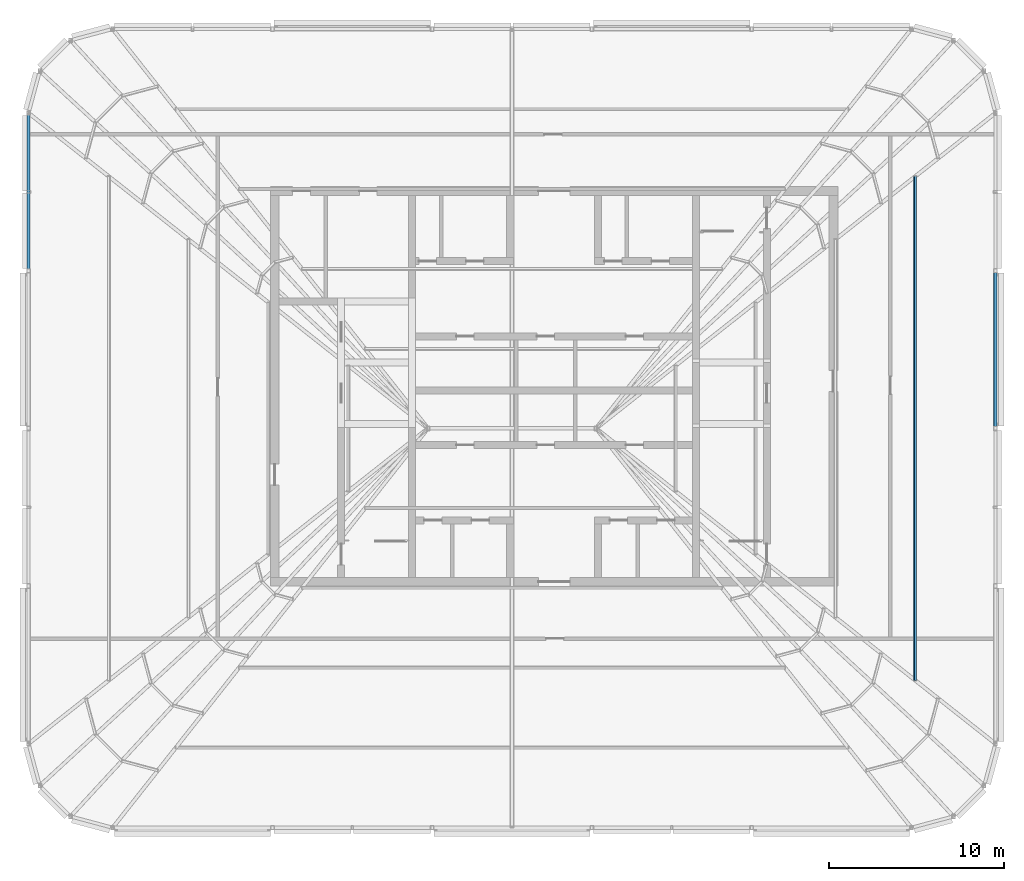
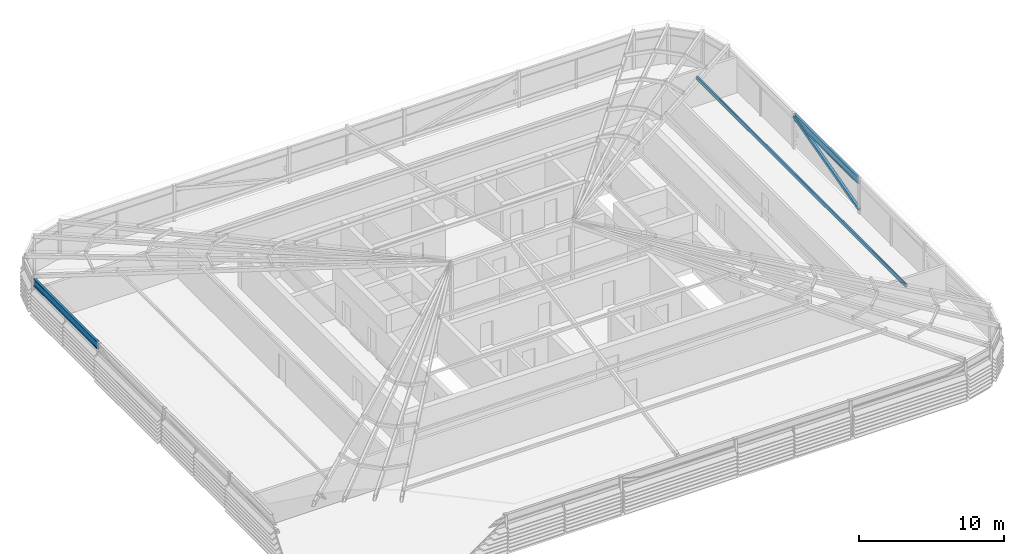
# One storey, part 13 of 46: 2 beams, 2 members.
"""IFC4 building model written with IfcOpenShell, lengths in metres."""

from ifc_helpers import new_model, si_unit, direction, frame, origin, origin_2d, place, context, subcontext, project, spatial, hollow_rectangle, i_section, extrude, material, material_profile, profile_set, type_object, element, save


model = new_model("IFC4")

# Units and contexts
model_context = context("Model", 3, precision=1e-05, world=origin(), true_north=direction((0.0, 1.0)))
body_context = subcontext(model_context, "Body", "Model", "MODEL_VIEW")
ifc_project = project(units=[si_unit("LENGTHUNIT", "METRE"), si_unit("AREAUNIT", "SQUARE_METRE"), si_unit("VOLUMEUNIT", "CUBIC_METRE"), si_unit("PLANEANGLEUNIT", "RADIAN"), si_unit("MASSUNIT", "GRAM", prefix="KILO")], contexts=[model_context])

# Site, building, storey
site_placement = place(None, origin())
site = spatial("IfcSite", under=ifc_project, at=site_placement, CompositionType="ELEMENT")
building_placement = place(site_placement, origin())
building = spatial("IfcBuilding", under=site, at=building_placement, Name="Madar Terraces", CompositionType="ELEMENT")
storey_placement = place(building_placement, frame((0.0, 0.0, 317.300048828125)))
storey = spatial("IfcBuildingStorey", under=building, at=storey_placement, Name="L82", CompositionType="ELEMENT", Elevation=317.300048828125)

# Beams
ifc_material_1 = material(Name="Steel ASTM A992 Grade 50", Category="steel")
ifc_material_profile_1 = material_profile(ifc_material_1, i_section(OverallWidth=0.1787109375, OverallDepth=0.60205078125, WebThickness=0.010986328125, FlangeThickness=0.014892578125, at=origin_2d()), Name="W24x62")
ifc_profile_set_1 = profile_set([ifc_material_profile_1], Name="Steel ASTM A992 Grade 50")
beam_type = type_object("IfcBeamType", Name="CF2 W24x62", PredefinedType="BEAM", material=ifc_profile_set_1)
for number, where, z_axis, x_axis, name in (
    (1, (56.39990234375, 24.1015625, 2.698974609375), (0.0, 1.0, 0.0), (-1.0, 0.0, 0.0), "Crown frame ring beam CF2"),
    (2, (1.199951171875, 41.8984375, 2.698974609375), (0.0, -1.0, 0.0), (1.0, 0.0, 0.0), "Crown frame ring beam CF2"),
):
    element("IfcBeam", number, at=place(storey_placement, frame(where, z_axis=z_axis, x_axis=x_axis)), inside=storey, type_object=beam_type, Name=name, PredefinedType="BEAM", context=body_context, shape_type="SweptSolid", body=[
        extrude(i_section(OverallWidth=0.1787109375, OverallDepth=0.60205078125, WebThickness=0.010986328125, FlangeThickness=0.014892578125, at=origin_2d()), origin(), (0.0, 0.0, 1.0), 8.796875),
    ])

# Members
ifc_material_2 = material(Name="Steel ASTM A500 Grade C", Category="steel")
ifc_material_profile_2 = material_profile(ifc_material_2, hollow_rectangle(XDim=0.126953125, YDim=0.25390625, WallThickness=0.00634765625, InnerFilletRadius=0.0029296875, OuterFilletRadius=0.0087890625, at=origin_2d()), Name="HSS10x5x.25")
ifc_profile_set_2 = profile_set([ifc_material_profile_2], Name="Steel ASTM A500 Grade C")
member_type_1 = type_object("IfcMemberType", Name="CF4 HSS10x5x.25", PredefinedType="PURLIN", material=ifc_profile_set_2)
member_1_placement = place(storey_placement, frame((51.818115234375, 9.60009765625, 4.22900390625), z_axis=(0.0, 1.0, 0.0), x_axis=(-0.984957023705, 0.0, 0.172799483372)))
element("IfcMember", 3, at=member_1_placement, inside=storey, type_object=member_type_1, Name="Crown frame purlin 21", PredefinedType="PURLIN", context=body_context, shape_type="SweptSolid", body=[
    extrude(hollow_rectangle(XDim=0.126953125, YDim=0.25390625, WallThickness=0.00634765625, InnerFilletRadius=0.0029296875, OuterFilletRadius=0.0087890625, at=origin_2d()), origin(), (0.0, 0.0, 1.0), 28.7998046875),
])
ifc_material_3 = material(Name="Steel ASTM A500 Grade C", Category="steel")
ifc_material_profile_3 = material_profile(ifc_material_3, hollow_rectangle(XDim=0.203125, YDim=0.25390625, WallThickness=0.009521484375, InnerFilletRadius=0.00439453125, OuterFilletRadius=0.01318359375, at=origin_2d()), Name="HSS10x8x.375")
ifc_profile_set_3 = profile_set([ifc_material_profile_3], Name="Steel ASTM A500 Grade C")
member_type_2 = type_object("IfcMemberType", Name="CF5 crown frame brace HSS10x8x.375", PredefinedType="BRACE", material=ifc_profile_set_3)
member_2_placement = place(storey_placement, frame((56.39990234375, 24.0, 0.300048828125), z_axis=(0.0, 0.966263646701, 0.257554974839), x_axis=(-1.0, 0.0, 0.0)))
element("IfcMember", 4, at=member_2_placement, inside=storey, type_object=member_type_2, Name="Crown frame brace CF5", PredefinedType="BRACE", context=body_context, shape_type="SweptSolid", body=[
    extrude(hollow_rectangle(XDim=0.203125, YDim=0.25390625, WallThickness=0.009521484375, InnerFilletRadius=0.00439453125, OuterFilletRadius=0.01318359375, at=origin_2d()), origin(), (0.0, 0.0, 1.0), 9.314208984375),
])

save(model, "model.ifc")
